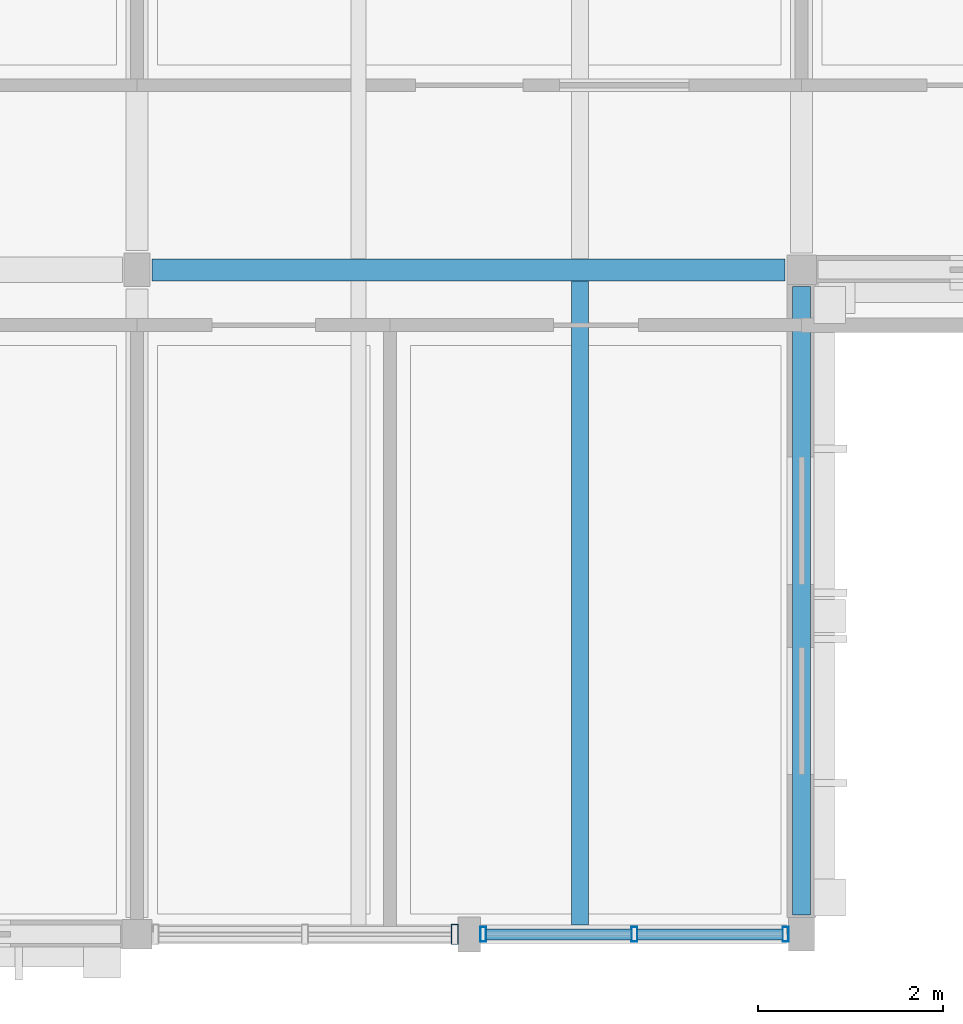
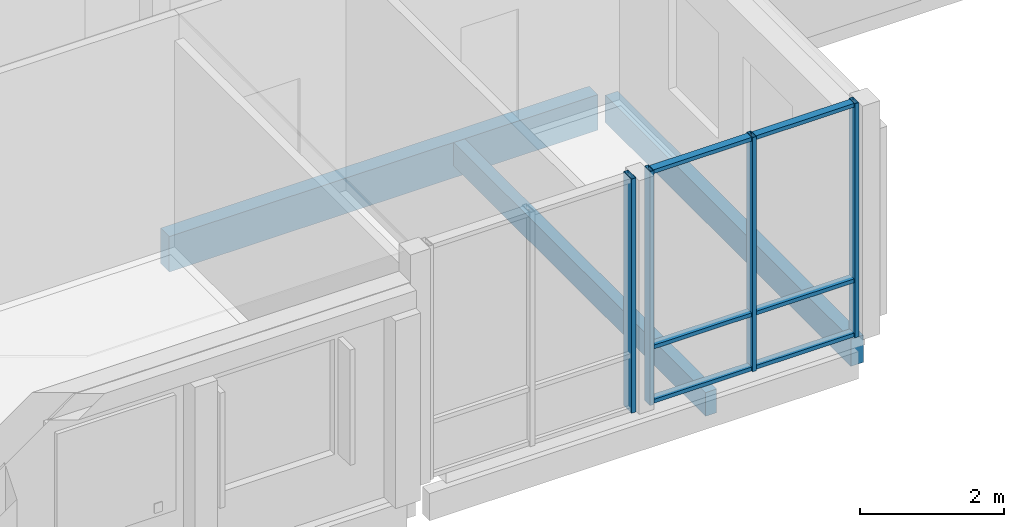
# One storey, part 12 of 115: 10 members, 3 beams, 2 elements without a shape of their own.
"""IFC4 building model written with IfcOpenShell, lengths in metres."""

from ifc_helpers import new_model, si_unit, direction, frame, origin, origin_2d, place, context, subcontext, project, spatial, rectangle, hollow_rectangle, extrude, material, material_profile, profile_set, type_object, element, aggregate, save


model = new_model("IFC4")

# Units and contexts
model_context = context("Model", 3, precision=1e-05, world=origin(), true_north=direction((0.0, 1.0)))
body_context = subcontext(model_context, "Body", "Model", "MODEL_VIEW")
ifc_project = project(units=[si_unit("LENGTHUNIT", "METRE"), si_unit("AREAUNIT", "SQUARE_METRE"), si_unit("VOLUMEUNIT", "CUBIC_METRE"), si_unit("PLANEANGLEUNIT", "RADIAN"), si_unit("MASSUNIT", "GRAM", prefix="KILO")], contexts=[model_context])

# Site, building, storey
site_placement = place(None, origin())
site = spatial("IfcSite", under=ifc_project, at=site_placement, CompositionType="ELEMENT")
building_placement = place(site_placement, origin())
building = spatial("IfcBuilding", under=site, at=building_placement, Name="Hawrajan Terrace Health Centre", CompositionType="ELEMENT")
storey_placement = place(building_placement, frame((0.0, 0.0, 9.0)))
storey = spatial("IfcBuildingStorey", under=building, at=storey_placement, Name="L02", CompositionType="ELEMENT", Elevation=9.0)

# Curtain wall, members
ifc_material_1 = material(Name="Anodized bronze aluminium and low-E solar glazing", Category="aluminium")
curtain_wall_type_1 = type_object("IfcCurtainWallType", Name="CW_Court_SeriesA3", PredefinedType="USERDEFINED", material=ifc_material_1)
curtain_wall_1_placement = place(storey_placement, origin())
curtain_wall_1 = element("IfcCurtainWall", 1, at=curtain_wall_1_placement, inside=storey, type_object=curtain_wall_type_1, Name="Curtain wall CW-L02-123", ObjectType="UNITISED CURTAIN WALL", PredefinedType="USERDEFINED")
ifc_material_2 = material(Name="Anodized bronze aluminium 6063-T6", Category="aluminium")
ifc_material_profile_1 = material_profile(ifc_material_2, hollow_rectangle(XDim=0.06494140625, YDim=0.159912109375, WallThickness=0.00390625, at=origin_2d()), Name="CW MUL 65x160")
ifc_profile_set_1 = profile_set([ifc_material_profile_1], Name="Anodized bronze aluminium 6063-T6")
member_type_1 = type_object("IfcMemberType", Name="CWMullion_65x160", PredefinedType="MULLION", material=ifc_profile_set_1)
member_1_placement = place(storey_placement, frame((37.152587890625, 4.199951171875, -0.0048828125), z_axis=(0.0, 0.0, 1.0), x_axis=(1.0, 0.0, 0.0)))
member_1 = element("IfcMember", 2, at=member_1_placement, type_object=member_type_1, Name="Mullion CW-L02-123-M1", PredefinedType="MULLION", context=body_context, shape_type="SweptSolid", body=[
    extrude(hollow_rectangle(XDim=0.06494140625, YDim=0.159912109375, WallThickness=0.00390625, at=origin_2d()), origin(), (0.0, 0.0, 1.0), 3.9599609375),
])
member_2_placement = place(storey_placement, frame((38.7900390625, 4.199951171875, -0.0048828125), z_axis=(0.0, 0.0, 1.0), x_axis=(1.0, 0.0, 0.0)))
member_2 = element("IfcMember", 3, at=member_2_placement, type_object=member_type_1, Name="Mullion CW-L02-123-M2", PredefinedType="MULLION", context=body_context, shape_type="SweptSolid", body=[
    extrude(hollow_rectangle(XDim=0.06494140625, YDim=0.159912109375, WallThickness=0.00390625, at=origin_2d()), origin(), (0.0, 0.0, 1.0), 3.9599609375),
])
member_3_placement = place(storey_placement, frame((40.427490234375, 4.199951171875, -0.0048828125), z_axis=(0.0, 0.0, 1.0), x_axis=(1.0, 0.0, 0.0)))
member_3 = element("IfcMember", 4, at=member_3_placement, type_object=member_type_1, Name="Mullion CW-L02-123-M3", PredefinedType="MULLION", context=body_context, shape_type="SweptSolid", body=[
    extrude(hollow_rectangle(XDim=0.06494140625, YDim=0.159912109375, WallThickness=0.00390625, at=origin_2d()), origin(), (0.0, 0.0, 1.0), 3.9599609375),
])

# Curtain wall, member
curtain_wall_type_2 = type_object("IfcCurtainWallType", Name="CW_Court_SeriesA2", PredefinedType="USERDEFINED", material=ifc_material_1)
curtain_wall_2_placement = place(storey_placement, origin())
curtain_wall_2 = element("IfcCurtainWall", 5, at=curtain_wall_2_placement, inside=storey, type_object=curtain_wall_type_2, Name="Curtain wall CW-L02-122", ObjectType="UNITISED CURTAIN WALL", PredefinedType="USERDEFINED")
ifc_material_profile_2 = material_profile(ifc_material_2, hollow_rectangle(XDim=0.074951171875, YDim=0.219970703125, WallThickness=0.0048828125, at=origin_2d()), Name="CW MUL 75x220")
ifc_profile_set_2 = profile_set([ifc_material_profile_2], Name="Anodized bronze aluminium 6063-T6")
member_type_2 = type_object("IfcMemberType", Name="CWMullion_75x220", PredefinedType="MULLION", material=ifc_profile_set_2)
member_4_placement = place(storey_placement, frame((36.842529296875, 4.199951171875, -0.0048828125), z_axis=(0.0, 0.0, 1.0), x_axis=(1.0, 0.0, 0.0)))
member_4 = element("IfcMember", 6, at=member_4_placement, type_object=member_type_2, Name="Mullion CW-L02-122-M3", PredefinedType="MULLION", context=body_context, shape_type="SweptSolid", body=[
    extrude(hollow_rectangle(XDim=0.074951171875, YDim=0.219970703125, WallThickness=0.0048828125, at=origin_2d()), origin(), (0.0, 0.0, 1.0), 3.9599609375),
])
aggregate(curtain_wall_2, [member_4])

# Member
ifc_material_profile_3 = material_profile(ifc_material_2, hollow_rectangle(XDim=0.06494140625, YDim=0.1201171875, WallThickness=0.00341796875, at=origin_2d()), Name="CW TRN 65x120")
ifc_profile_set_3 = profile_set([ifc_material_profile_3], Name="Anodized bronze aluminium 6063-T6")
member_type_3 = type_object("IfcMemberType", Name="CWTransom_65x120", PredefinedType="USERDEFINED", material=ifc_profile_set_3)
member_5_placement = place(storey_placement, frame((37.178955078125, 4.199951171875, 0.032470703125), z_axis=(1.0, 0.0, 0.0), x_axis=(0.0, 0.0, 1.0)))
member_5 = element("IfcMember", 7, at=member_5_placement, type_object=member_type_3, Name="Transom CW-L02-123-T1-1", ObjectType="TRANSOM", PredefinedType="USERDEFINED", context=body_context, shape_type="SweptSolid", body=[
    extrude(hollow_rectangle(XDim=0.06494140625, YDim=0.1201171875, WallThickness=0.00341796875, at=origin_2d()), origin(), (0.0, 0.0, 1.0), 1.58447265625),
])

member_6_placement = place(storey_placement, frame((37.178955078125, 4.199951171875, 0.949951171875), z_axis=(1.0, 0.0, 0.0), x_axis=(0.0, 0.0, 1.0)))
member_6 = element("IfcMember", 8, at=member_6_placement, type_object=member_type_3, Name="Transom CW-L02-123-T1-2", ObjectType="TRANSOM", PredefinedType="USERDEFINED", context=body_context, shape_type="SweptSolid", body=[
    extrude(hollow_rectangle(XDim=0.06494140625, YDim=0.1201171875, WallThickness=0.00341796875, at=origin_2d()), origin(), (0.0, 0.0, 1.0), 1.58447265625),
])

member_7_placement = place(storey_placement, frame((37.178955078125, 4.199951171875, 3.91748046875), z_axis=(1.0, 0.0, 0.0), x_axis=(0.0, 0.0, 1.0)))
member_7 = element("IfcMember", 9, at=member_7_placement, type_object=member_type_3, Name="Transom CW-L02-123-T1-3", ObjectType="TRANSOM", PredefinedType="USERDEFINED", context=body_context, shape_type="SweptSolid", body=[
    extrude(hollow_rectangle(XDim=0.06494140625, YDim=0.1201171875, WallThickness=0.00341796875, at=origin_2d()), origin(), (0.0, 0.0, 1.0), 1.58447265625),
])

member_8_placement = place(storey_placement, frame((38.81640625, 4.199951171875, 0.032470703125), z_axis=(1.0, 0.0, 0.0), x_axis=(0.0, 0.0, 1.0)))
member_8 = element("IfcMember", 10, at=member_8_placement, type_object=member_type_3, Name="Transom CW-L02-123-T2-1", ObjectType="TRANSOM", PredefinedType="USERDEFINED", context=body_context, shape_type="SweptSolid", body=[
    extrude(hollow_rectangle(XDim=0.06494140625, YDim=0.1201171875, WallThickness=0.00341796875, at=origin_2d()), origin(), (0.0, 0.0, 1.0), 1.58447265625),
])

member_9_placement = place(storey_placement, frame((38.81640625, 4.199951171875, 0.949951171875), z_axis=(1.0, 0.0, 0.0), x_axis=(0.0, 0.0, 1.0)))
member_9 = element("IfcMember", 11, at=member_9_placement, type_object=member_type_3, Name="Transom CW-L02-123-T2-2", ObjectType="TRANSOM", PredefinedType="USERDEFINED", context=body_context, shape_type="SweptSolid", body=[
    extrude(hollow_rectangle(XDim=0.06494140625, YDim=0.1201171875, WallThickness=0.00341796875, at=origin_2d()), origin(), (0.0, 0.0, 1.0), 1.58447265625),
])

member_10_placement = place(storey_placement, frame((38.81640625, 4.199951171875, 3.91748046875), z_axis=(1.0, 0.0, 0.0), x_axis=(0.0, 0.0, 1.0)))
member_10 = element("IfcMember", 12, at=member_10_placement, type_object=member_type_3, Name="Transom CW-L02-123-T2-3", ObjectType="TRANSOM", PredefinedType="USERDEFINED", context=body_context, shape_type="SweptSolid", body=[
    extrude(hollow_rectangle(XDim=0.06494140625, YDim=0.1201171875, WallThickness=0.00341796875, at=origin_2d()), origin(), (0.0, 0.0, 1.0), 1.58447265625),
])

aggregate(curtain_wall_1, [member_1, member_2, member_3, member_5, member_6, member_7, member_8, member_9, member_10])

# Beams
ifc_material_3 = material(Name="Glulam GL32h", Category="wood")
ifc_material_profile_4 = material_profile(ifc_material_3, rectangle(XDim=0.239990234375, YDim=0.60009765625, at=origin_2d()), Name="GL BM 240x600")
ifc_profile_set_4 = profile_set([ifc_material_profile_4], Name="Glulam GL32h")
beam_type_1 = type_object("IfcBeamType", Name="GlulamGirder_240x600", PredefinedType="BEAM", material=ifc_profile_set_4)
beam_1_placement = place(storey_placement, frame((33.56005859375, 11.39990234375, -0.5400390625), z_axis=(1.0, 0.0, 0.0), x_axis=(0.0, 1.0, 0.0)))
element("IfcBeam", 13, at=beam_1_placement, inside=storey, type_object=beam_type_1, Name="Beam BM-X-L02-W-05-Y2", PredefinedType="BEAM", context=body_context, shape_type="SweptSolid", body=[
    extrude(rectangle(XDim=0.239990234375, YDim=0.60009765625, at=origin_2d()), origin(), (0.0, 0.0, 1.0), 6.85986328125),
])
ifc_material_4 = material(Name="Glulam GL28h", Category="wood")
ifc_material_profile_5 = material_profile(ifc_material_4, rectangle(XDim=0.179931640625, YDim=0.39990234375, at=origin_2d()), Name="GL JST 180x400")
ifc_profile_set_5 = profile_set([ifc_material_profile_5], Name="Glulam GL28h")
beam_type_2 = type_object("IfcBeamType", Name="GlulamJoist_180x400", PredefinedType="JOIST", material=ifc_profile_set_5)
beam_2_placement = place(storey_placement, frame((38.199951171875, 4.300048828125, -0.43994140625), z_axis=(0.0, 1.0, 0.0), x_axis=(-1.0, 0.0, 0.0)))
element("IfcBeam", 14, at=beam_2_placement, inside=storey, type_object=beam_type_2, Name="Secondary joist JST-L02-W-05-1-2", PredefinedType="JOIST", context=body_context, shape_type="SweptSolid", body=[
    extrude(rectangle(XDim=0.179931640625, YDim=0.39990234375, at=origin_2d()), origin(), (0.0, 0.0, 1.0), 6.97998046875),
])
ifc_material_profile_6 = material_profile(ifc_material_3, rectangle(XDim=0.199951171875, YDim=0.4599609375, at=origin_2d()), Name="GL SP 200x460")
ifc_profile_set_6 = profile_set([ifc_material_profile_6], Name="Glulam GL32h")
beam_type_3 = type_object("IfcBeamType", Name="GlulamSpandrel_200x460", PredefinedType="SPANDREL", material=ifc_profile_set_6)
beam_3_placement = place(storey_placement, frame((40.60009765625, 4.409912109375, -0.469970703125), z_axis=(0.0, 1.0, 0.0), x_axis=(-1.0, 0.0, 0.0)))
element("IfcBeam", 15, at=beam_3_placement, inside=storey, type_object=beam_type_3, Name="Beam BM-Y-L02-W-X06-1", PredefinedType="SPANDREL", context=body_context, shape_type="SweptSolid", body=[
    extrude(rectangle(XDim=0.199951171875, YDim=0.4599609375, at=origin_2d()), origin(), (0.0, 0.0, 1.0), 6.81005859375),
])

save(model, "model.ifc")
